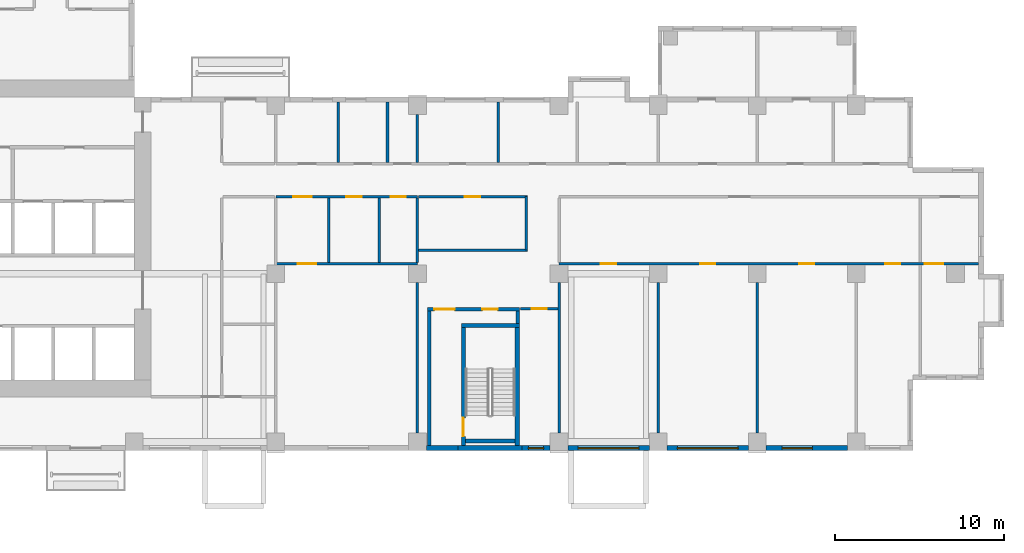
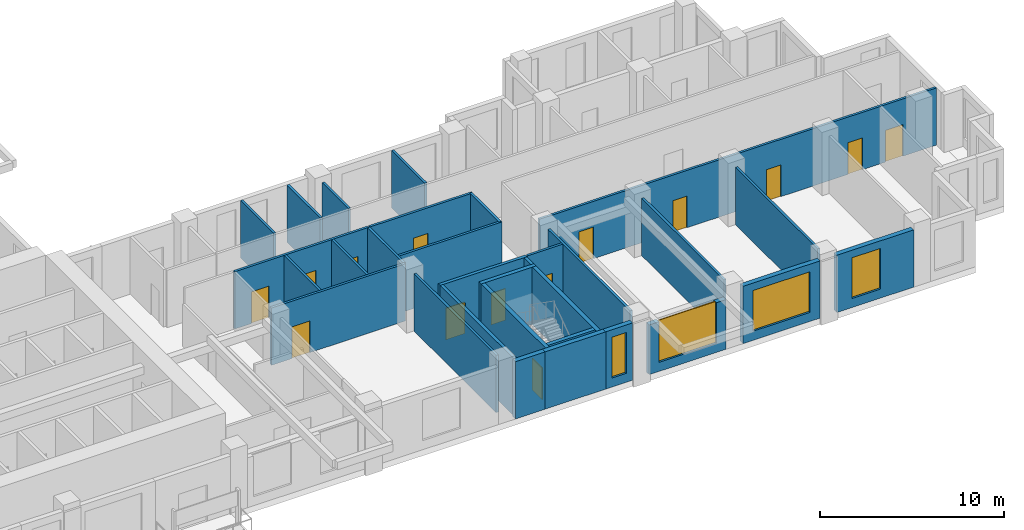
# One storey, part 4 of 14: 31 walls, 14 doors, 4 windows, 18 openings.
"""IFC4 building model written with IfcOpenShell, lengths in metres."""

from ifc_helpers import new_model, si_unit, direction, frame, frame_2d, origin, place, context, subcontext, project, spatial, rectangle, extrude, source, transform, mapped, material, layer, layer_set, type_object, element, fill, save


model = new_model("IFC4")

# Units and contexts
model_context = context("Model", 3, precision=1e-05, world=origin(), true_north=direction((0.0, 1.0)))
body_context = subcontext(model_context, "Body", "Model", "MODEL_VIEW")
ifc_project = project(units=[si_unit("LENGTHUNIT", "METRE"), si_unit("AREAUNIT", "SQUARE_METRE"), si_unit("VOLUMEUNIT", "CUBIC_METRE"), si_unit("PLANEANGLEUNIT", "RADIAN"), si_unit("MASSUNIT", "GRAM", prefix="KILO")], contexts=[model_context])

# Site, building, storey
site_placement = place(None, origin())
site = spatial("IfcSite", under=ifc_project, at=site_placement, CompositionType="ELEMENT")
building_placement = place(site_placement, origin())
building = spatial("IfcBuilding", under=site, at=building_placement, Name="Aurelian Terraces", CompositionType="ELEMENT")
storey_placement = place(building_placement, frame((0.0, 0.0, 128.7)))
storey = spatial("IfcBuildingStorey", under=building, at=storey_placement, Name="L28", CompositionType="ELEMENT", Elevation=128.7)

# Wall
ifc_material_1 = material(Name="Concrete fc' 40 MPa", Category="concrete")
ifc_layer_1 = layer(ifc_material_1, 0.3)
ifc_layer_set_1 = layer_set([ifc_layer_1], Name="STAIR BAY WALL 300")
wall_type_1 = type_object("IfcWallType", Name="STAIR BAY WALL 300", PredefinedType="SOLIDWALL", material=ifc_layer_set_1)
shared_shape_1 = source(origin(), body_context, "Body", "SweptSolid", [
    extrude(rectangle(XDim=3.8, YDim=0.3, at=frame_2d((1.9, 0.0))), origin(), (0.0, 0.0, 1.0), 3.8),
])
wall_1_placement = place(storey_placement, frame((40.2, 0.15, 0.0), z_axis=(0.0, 0.0, 1.0), x_axis=(1.0, 0.0, 0.0)))
element("IfcWall", 1, at=wall_1_placement, inside=storey, type_object=wall_type_1, Name="Stair bay wall L28 F01.7", PredefinedType="SOLIDWALL", context=body_context, shape_type="MappedRepresentation", body=[
    mapped(shared_shape_1, transform((0.0, 0.0, 0.0), scale=1.0)),
])

# Wall, opening, window
ifc_material_2 = material(Name="Terracotta rainscreen cladding", Category="masonry")
ifc_layer_2 = layer(ifc_material_2, 0.3)
ifc_layer_set_2 = layer_set([ifc_layer_2], Name="EW-300")
wall_type_2 = type_object("IfcWallType", Name="EW-300", PredefinedType="STANDARD", material=ifc_layer_set_2)
shared_shape_2 = source(origin(), body_context, "Body", "SweptSolid", [
    extrude(rectangle(XDim=4.83, YDim=0.3, at=frame_2d((2.415, 0.0))), origin(), (0.0, 0.0, 1.0), 3.8),
])
wall_2_placement = place(storey_placement, frame((52.605, 0.15, 0.0), z_axis=(0.0, 0.0, 1.0), x_axis=(1.0, 0.0, 0.0)))
wall_2 = element("IfcWall", 2, at=wall_2_placement, inside=storey, type_object=wall_type_2, Name="External wall L28 F01.9", PredefinedType="STANDARD", context=body_context, shape_type="MappedRepresentation", body=[
    mapped(shared_shape_2, transform((0.0, 0.0, 0.0), scale=1.0)),
])
shared_shape_3 = source(origin(), body_context, "Body", "SweptSolid", [
    extrude(rectangle(XDim=3.6, YDim=2.7, at=frame_2d((1.8, 1.35))), frame((0.0, 0.16, 0.0), z_axis=(0.0, -1.0, 0.0), x_axis=(1.0, 0.0, 0.0)), (0.0, 0.0, 1.0), 0.32),
])
opening_1_placement = place(wall_2_placement, frame((0.615, 0.0, 0.6)))
opening_1 = element("IfcOpeningElement", 3, at=opening_1_placement, cuts=wall_2, Name="Opening W3627", PredefinedType="OPENING", context=body_context, shape_type="MappedRepresentation", body=[
    mapped(shared_shape_3, transform((0.0, 0.0, 0.0), scale=1.0)),
])
ifc_material_3 = material(Name="Clear glazing", Category="glass")
window_type_1 = type_object("IfcWindowType", Name="W-3600x2700", PartitioningType="SINGLE_PANEL", PredefinedType="WINDOW", material=ifc_material_3)
shared_shape_4 = source(origin(), body_context, "Body", "SweptSolid", [
    extrude(rectangle(XDim=3.6, YDim=2.7, at=frame_2d((1.8, 1.35))), frame((0.0, 0.03, 0.0), z_axis=(0.0, -1.0, 0.0), x_axis=(1.0, 0.0, 0.0)), (0.0, 0.0, 1.0), 0.06),
])
window_1_placement = place(opening_1_placement, origin())
window_1 = element("IfcWindow", 4, at=window_1_placement, inside=storey, type_object=window_type_1, Name="Window L28 L28-F01-09-0", OverallHeight=2.7, OverallWidth=3.6, PartitioningType="SINGLE_PANEL", PredefinedType="WINDOW", context=body_context, shape_type="MappedRepresentation", body=[
    mapped(shared_shape_4, transform((0.0, 0.0, 0.0), scale=1.0)),
])
fill(opening_1, window_1)

wall_3_placement = place(storey_placement, frame((58.485, 0.15, 0.0), z_axis=(0.0, 0.0, 1.0), x_axis=(1.0, 0.0, 0.0)))
wall_3 = element("IfcWall", 5, at=wall_3_placement, inside=storey, type_object=wall_type_2, Name="External wall L28 F01.10", PredefinedType="STANDARD", context=body_context, shape_type="MappedRepresentation", body=[
    mapped(shared_shape_2, transform((0.0, 0.0, 0.0), scale=1.0)),
])
shared_shape_5 = source(origin(), body_context, "Body", "SweptSolid", [
    extrude(rectangle(XDim=1.8, YDim=2.7, at=frame_2d((0.9, 1.35))), frame((0.0, 0.16, 0.0), z_axis=(0.0, -1.0, 0.0), x_axis=(1.0, 0.0, 0.0)), (0.0, 0.0, 1.0), 0.32),
])
opening_2_placement = place(wall_3_placement, frame((0.9525, 0.0, 0.6)))
opening_2 = element("IfcOpeningElement", 6, at=opening_2_placement, cuts=wall_3, Name="Opening W1827", PredefinedType="OPENING", context=body_context, shape_type="MappedRepresentation", body=[
    mapped(shared_shape_5, transform((0.0, 0.0, 0.0), scale=1.0)),
])
window_type_2 = type_object("IfcWindowType", Name="W-1800x2700", PartitioningType="SINGLE_PANEL", PredefinedType="WINDOW", material=ifc_material_3)
shared_shape_6 = source(origin(), body_context, "Body", "SweptSolid", [
    extrude(rectangle(XDim=1.8, YDim=2.7, at=frame_2d((0.9, 1.35))), frame((0.0, 0.03, 0.0), z_axis=(0.0, -1.0, 0.0), x_axis=(1.0, 0.0, 0.0)), (0.0, 0.0, 1.0), 0.06),
])
window_2_placement = place(opening_2_placement, origin())
window_2 = element("IfcWindow", 7, at=window_2_placement, inside=storey, type_object=window_type_2, Name="Window L28 L28-F01-10-0", OverallHeight=2.7, OverallWidth=1.8, PartitioningType="SINGLE_PANEL", PredefinedType="WINDOW", context=body_context, shape_type="MappedRepresentation", body=[
    mapped(shared_shape_6, transform((0.0, 0.0, 0.0), scale=1.0)),
])
fill(opening_2, window_2)

shared_shape_7 = source(origin(), body_context, "Body", "SweptSolid", [
    extrude(rectangle(XDim=1.675, YDim=0.3, at=frame_2d((0.8375, 0.0))), origin(), (0.0, 0.0, 1.0), 3.8),
])
wall_4_placement = place(storey_placement, frame((44.0, 0.15, 0.0), z_axis=(0.0, 0.0, 1.0), x_axis=(1.0, 0.0, 0.0)))
wall_4 = element("IfcWall", 8, at=wall_4_placement, inside=storey, type_object=wall_type_2, Name="External wall L28 F01.7", PredefinedType="STANDARD", context=body_context, shape_type="MappedRepresentation", body=[
    mapped(shared_shape_7, transform((0.0, 0.0, 0.0), scale=1.0)),
])
shared_shape_8 = source(origin(), body_context, "Body", "SweptSolid", [
    extrude(rectangle(XDim=0.9, YDim=2.7, at=frame_2d((0.45, 1.35))), frame((0.0, 0.16, 0.0), z_axis=(0.0, -1.0, 0.0), x_axis=(1.0, 0.0, 0.0)), (0.0, 0.0, 1.0), 0.32),
])
opening_3_placement = place(wall_4_placement, frame((0.3875, 0.0, 0.6)))
opening_3 = element("IfcOpeningElement", 9, at=opening_3_placement, cuts=wall_4, Name="Opening W0927", PredefinedType="OPENING", context=body_context, shape_type="MappedRepresentation", body=[
    mapped(shared_shape_8, transform((0.0, 0.0, 0.0), scale=1.0)),
])
window_type_3 = type_object("IfcWindowType", Name="W-900x2700", PartitioningType="SINGLE_PANEL", PredefinedType="WINDOW", material=ifc_material_3)
shared_shape_9 = source(origin(), body_context, "Body", "SweptSolid", [
    extrude(rectangle(XDim=0.9, YDim=2.7, at=frame_2d((0.45, 1.35))), frame((0.0, 0.03, 0.0), z_axis=(0.0, -1.0, 0.0), x_axis=(1.0, 0.0, 0.0)), (0.0, 0.0, 1.0), 0.06),
])
window_3_placement = place(opening_3_placement, origin())
window_3 = element("IfcWindow", 10, at=window_3_placement, inside=storey, type_object=window_type_3, Name="Window L28 L28-F01-07-P2", OverallHeight=2.7, OverallWidth=0.9, PartitioningType="SINGLE_PANEL", PredefinedType="WINDOW", context=body_context, shape_type="MappedRepresentation", body=[
    mapped(shared_shape_9, transform((0.0, 0.0, 0.0), scale=1.0)),
])
fill(opening_3, window_3)

shared_shape_10 = source(origin(), body_context, "Body", "SweptSolid", [
    extrude(rectangle(XDim=4.83, YDim=0.3, at=frame_2d((2.415, 0.0))), origin(), (0.0, 0.0, 1.0), 3.3),
])
wall_5_placement = place(storey_placement, frame((46.725, 0.15, 0.0), z_axis=(0.0, 0.0, 1.0), x_axis=(1.0, 0.0, 0.0)))
wall_5 = element("IfcWall", 11, at=wall_5_placement, inside=storey, type_object=wall_type_2, Name="External wall L28 F01.8", PredefinedType="STANDARD", context=body_context, shape_type="MappedRepresentation", body=[
    mapped(shared_shape_10, transform((0.0, 0.0, 0.0), scale=1.0)),
])
opening_4_placement = place(wall_5_placement, frame((0.615, 0.0, 0.6)))
opening_4 = element("IfcOpeningElement", 12, at=opening_4_placement, cuts=wall_5, Name="Opening W3627", PredefinedType="OPENING", context=body_context, shape_type="MappedRepresentation", body=[
    mapped(shared_shape_3, transform((0.0, 0.0, 0.0), scale=1.0)),
])
window_4_placement = place(opening_4_placement, origin())
window_4 = element("IfcWindow", 13, at=window_4_placement, inside=storey, type_object=window_type_1, Name="Window L28 L28-F01-08-0", OverallHeight=2.7, OverallWidth=3.6, PartitioningType="SINGLE_PANEL", PredefinedType="WINDOW", context=body_context, shape_type="MappedRepresentation", body=[
    mapped(shared_shape_4, transform((0.0, 0.0, 0.0), scale=1.0)),
])
fill(opening_4, window_4)

# Wall
shared_shape_11 = source(origin(), body_context, "Body", "SweptSolid", [
    extrude(rectangle(XDim=1.875, YDim=0.3, at=frame_2d((0.9375, 0.0))), origin(), (0.0, 0.0, 1.0), 3.8),
])
wall_6_placement = place(storey_placement, frame((38.325, 0.15, 0.0), z_axis=(0.0, 0.0, 1.0), x_axis=(1.0, 0.0, 0.0)))
element("IfcWall", 14, at=wall_6_placement, inside=storey, type_object=wall_type_2, Name="External wall L28 F01.7", PredefinedType="STANDARD", context=body_context, shape_type="MappedRepresentation", body=[
    mapped(shared_shape_11, transform((0.0, 0.0, 0.0), scale=1.0)),
])

# Wall, opening, door
ifc_layer_3 = layer(ifc_material_1, 0.25)
ifc_layer_set_3 = layer_set([ifc_layer_3], Name="Stair enclosure wall 250")
wall_type_3 = type_object("IfcWallType", Name="Stair enclosure wall 250", PredefinedType="SOLIDWALL", material=ifc_layer_set_3)
shared_shape_12 = source(origin(), body_context, "Body", "SweptSolid", [
    extrude(rectangle(XDim=7.0, YDim=0.25, at=frame_2d((3.5, 0.0))), origin(), (0.0, 0.0, 1.0), 3.8),
])
wall_7_placement = place(storey_placement, frame((40.525, 0.3, 0.0), z_axis=(0.0, 0.0, 1.0), x_axis=(0.0, 1.0, 0.0)))
wall_7 = element("IfcWall", 15, at=wall_7_placement, inside=storey, type_object=wall_type_3, Name="L28 core wall ST-S2-W", PredefinedType="SOLIDWALL", context=body_context, shape_type="MappedRepresentation", body=[
    mapped(shared_shape_12, transform((0.0, 0.0, 0.0), scale=1.0)),
])
shared_shape_13 = source(origin(), body_context, "Body", "SweptSolid", [
    extrude(rectangle(XDim=1.1, YDim=2.1, at=frame_2d((0.55, 1.05))), frame((0.0, 0.135, 0.0), z_axis=(0.0, -1.0, 0.0), x_axis=(1.0, 0.0, 0.0)), (0.0, 0.0, 1.0), 0.27),
])
opening_5_placement = place(wall_7_placement, frame((0.55, 0.0, 0.0)))
opening_5 = element("IfcOpeningElement", 16, at=opening_5_placement, cuts=wall_7, Name="Opening 63114", PredefinedType="OPENING", context=body_context, shape_type="MappedRepresentation", body=[
    mapped(shared_shape_13, transform((0.0, 0.0, 0.0), scale=1.0)),
])
ifc_material_4 = material(Name="Steel door leaf", Category="steel")
door_type_1 = type_object("IfcDoorType", Name="Core fire door 1100x2100 right", OperationType="SINGLE_SWING_RIGHT", PredefinedType="DOOR", material=ifc_material_4)
shared_shape_14 = source(origin(), body_context, "Body", "SweptSolid", [
    extrude(rectangle(XDim=1.1, YDim=2.1, at=frame_2d((0.55, 1.05))), frame((0.0, 0.025, 0.0), z_axis=(0.0, -1.0, 0.0), x_axis=(1.0, 0.0, 0.0)), (0.0, 0.0, 1.0), 0.05),
])
door_1_placement = place(opening_5_placement, origin())
door_1 = element("IfcDoor", 17, at=door_1_placement, inside=storey, type_object=door_type_1, Name="Stair door 63114", OperationType="SINGLE_SWING_RIGHT", OverallHeight=2.1, OverallWidth=1.1, PredefinedType="DOOR", context=body_context, shape_type="MappedRepresentation", body=[
    mapped(shared_shape_14, transform((0.0, 0.0, 0.0), scale=1.0)),
])
fill(opening_5, door_1)

# Walls
wall_8_placement = place(storey_placement, frame((43.725, 0.3, 0.0), z_axis=(0.0, 0.0, 1.0), x_axis=(0.0, 1.0, 0.0)))
element("IfcWall", 18, at=wall_8_placement, inside=storey, type_object=wall_type_3, Name="L28 core wall ST-S2-E", PredefinedType="SOLIDWALL", context=body_context, shape_type="MappedRepresentation", body=[
    mapped(shared_shape_12, transform((0.0, 0.0, 0.0), scale=1.0)),
])
shared_shape_15 = source(origin(), body_context, "Body", "SweptSolid", [
    extrude(rectangle(XDim=3.45, YDim=0.25, at=frame_2d((1.725, 0.0))), origin(), (0.0, 0.0, 1.0), 3.8),
])
wall_9_placement = place(storey_placement, frame((40.4, 7.425, 0.0), z_axis=(0.0, 0.0, 1.0), x_axis=(1.0, 0.0, 0.0)))
element("IfcWall", 19, at=wall_9_placement, inside=storey, type_object=wall_type_3, Name="L28 core wall ST-S2-N", PredefinedType="SOLIDWALL", context=body_context, shape_type="MappedRepresentation", body=[
    mapped(shared_shape_15, transform((0.0, 0.0, 0.0), scale=1.0)),
])
shared_shape_16 = source(origin(), body_context, "Body", "SweptSolid", [
    extrude(rectangle(XDim=2.95, YDim=0.25, at=frame_2d((1.475, 0.0))), origin(), (0.0, 0.0, 1.0), 3.8),
])
wall_10_placement = place(storey_placement, frame((40.65, 0.575, 0.0), z_axis=(0.0, 0.0, 1.0), x_axis=(1.0, 0.0, 0.0)))
element("IfcWall", 20, at=wall_10_placement, inside=storey, type_object=wall_type_3, Name="L28 core wall ST-S2-SS", PredefinedType="SOLIDWALL", context=body_context, shape_type="MappedRepresentation", body=[
    mapped(shared_shape_16, transform((0.0, 0.0, 0.0), scale=1.0)),
])
ifc_material_5 = material(Name="Gypsum board on steel studs", Category="steel")
ifc_layer_4 = layer(ifc_material_5, 0.2)
ifc_layer_set_4 = layer_set([ifc_layer_4], Name="Core partition 200")
wall_type_4 = type_object("IfcWallType", Name="Core partition 200", PredefinedType="PARTITIONING", material=ifc_layer_set_4)
shared_shape_17 = source(origin(), body_context, "Body", "SweptSolid", [
    extrude(rectangle(XDim=8.0, YDim=0.2, at=frame_2d((4.0, 0.0))), origin(), (0.0, 0.0, 1.0), 3.8),
])
wall_11_placement = place(storey_placement, frame((38.5, 0.3, 0.0), z_axis=(0.0, 0.0, 1.0), x_axis=(0.0, 1.0, 0.0)))
element("IfcWall", 21, at=wall_11_placement, inside=storey, type_object=wall_type_4, Name="L28 core wall ST-S2-VW", PredefinedType="PARTITIONING", context=body_context, shape_type="MappedRepresentation", body=[
    mapped(shared_shape_17, transform((0.0, 0.0, 0.0), scale=1.0)),
])

# Wall, openings, doors
shared_shape_18 = source(origin(), body_context, "Body", "SweptSolid", [
    extrude(rectangle(XDim=5.45, YDim=0.2, at=frame_2d((2.725, 0.0))), origin(), (0.0, 0.0, 1.0), 3.8),
])
wall_12_placement = place(storey_placement, frame((38.4, 8.4, 0.0), z_axis=(0.0, 0.0, 1.0), x_axis=(1.0, 0.0, 0.0)))
wall_12 = element("IfcWall", 22, at=wall_12_placement, inside=storey, type_object=wall_type_4, Name="L28 core wall ST-S2-BN", PredefinedType="PARTITIONING", context=body_context, shape_type="MappedRepresentation", body=[
    mapped(shared_shape_18, transform((0.0, 0.0, 0.0), scale=1.0)),
])
shared_shape_19 = source(origin(), body_context, "Body", "SweptSolid", [
    extrude(rectangle(XDim=1.2, YDim=2.1, at=frame_2d((0.6, 1.05))), frame((0.0, 0.11, 0.0), z_axis=(0.0, -1.0, 0.0), x_axis=(1.0, 0.0, 0.0)), (0.0, 0.0, 1.0), 0.22),
])
opening_6_placement = place(wall_12_placement, frame((0.4, 0.0, 0.0)))
opening_6 = element("IfcOpeningElement", 23, at=opening_6_placement, cuts=wall_12, Name="Opening 63115", PredefinedType="OPENING", context=body_context, shape_type="MappedRepresentation", body=[
    mapped(shared_shape_19, transform((0.0, 0.0, 0.0), scale=1.0)),
])
shared_shape_20 = source(origin(), body_context, "Body", "SweptSolid", [
    extrude(rectangle(XDim=0.9, YDim=2.1, at=frame_2d((0.45, 1.05))), frame((0.0, 0.11, 0.0), z_axis=(0.0, -1.0, 0.0), x_axis=(1.0, 0.0, 0.0)), (0.0, 0.0, 1.0), 0.22),
])
opening_7_placement = place(wall_12_placement, frame((3.25, 0.0, 0.0)))
opening_7 = element("IfcOpeningElement", 24, at=opening_7_placement, cuts=wall_12, Name="Opening 63116", PredefinedType="OPENING", context=body_context, shape_type="MappedRepresentation", body=[
    mapped(shared_shape_20, transform((0.0, 0.0, 0.0), scale=1.0)),
])
door_type_2 = type_object("IfcDoorType", Name="Core riser door 900x2100 right", OperationType="SINGLE_SWING_RIGHT", PredefinedType="DOOR", material=ifc_material_4)
shared_shape_21 = source(origin(), body_context, "Body", "SweptSolid", [
    extrude(rectangle(XDim=0.9, YDim=2.1, at=frame_2d((0.45, 1.05))), frame((0.0, 0.025, 0.0), z_axis=(0.0, -1.0, 0.0), x_axis=(1.0, 0.0, 0.0)), (0.0, 0.0, 1.0), 0.05),
])
door_2_placement = place(opening_7_placement, origin())
door_2 = element("IfcDoor", 25, at=door_2_placement, inside=storey, type_object=door_type_2, Name="Riser door 63116", OperationType="SINGLE_SWING_RIGHT", OverallHeight=2.1, OverallWidth=0.9, PredefinedType="DOOR", context=body_context, shape_type="MappedRepresentation", body=[
    mapped(shared_shape_21, transform((0.0, 0.0, 0.0), scale=1.0)),
])
fill(opening_7, door_2)
door_type_3 = type_object("IfcDoorType", Name="Core fire door 1200x2100", OperationType="SINGLE_SWING_LEFT", PredefinedType="DOOR", material=ifc_material_4)
shared_shape_22 = source(origin(), body_context, "Body", "SweptSolid", [
    extrude(rectangle(XDim=1.2, YDim=2.1, at=frame_2d((0.6, 1.05))), frame((0.0, 0.025, 0.0), z_axis=(0.0, -1.0, 0.0), x_axis=(1.0, 0.0, 0.0)), (0.0, 0.0, 1.0), 0.05),
])
door_3_placement = place(opening_6_placement, origin())
door_3 = element("IfcDoor", 26, at=door_3_placement, inside=storey, type_object=door_type_3, Name="Vestibule door 63115", OperationType="SINGLE_SWING_LEFT", OverallHeight=2.1, OverallWidth=1.2, PredefinedType="DOOR", context=body_context, shape_type="MappedRepresentation", body=[
    mapped(shared_shape_22, transform((0.0, 0.0, 0.0), scale=1.0)),
])
fill(opening_6, door_3)

# Walls
shared_shape_23 = source(origin(), body_context, "Body", "SweptSolid", [
    extrude(rectangle(XDim=0.75, YDim=0.2, at=frame_2d((0.375, 0.0))), origin(), (0.0, 0.0, 1.0), 3.8),
])
wall_13_placement = place(storey_placement, frame((43.75, 7.55, 0.0), z_axis=(0.0, 0.0, 1.0), x_axis=(0.0, 1.0, 0.0)))
element("IfcWall", 27, at=wall_13_placement, inside=storey, type_object=wall_type_4, Name="L28 core wall ST-S2-RE", PredefinedType="PARTITIONING", context=body_context, shape_type="MappedRepresentation", body=[
    mapped(shared_shape_23, transform((0.0, 0.0, 0.0), scale=1.0)),
])
ifc_layer_5 = layer(ifc_material_5, 0.15)
ifc_layer_set_5 = layer_set([ifc_layer_5], Name="Partition 150")
wall_type_5 = type_object("IfcWallType", Name="Partition 150", PredefinedType="PARTITIONING", material=ifc_layer_set_5)
shared_shape_24 = source(origin(), body_context, "Body", "SweptSolid", [
    extrude(rectangle(XDim=6.45, YDim=0.15, at=frame_2d((3.225, 0.0))), origin(), (0.0, 0.0, 1.0), 3.8),
])
wall_14_placement = place(storey_placement, frame((37.875, 11.9, 0.0), z_axis=(0.0, 0.0, 1.0), x_axis=(1.0, 0.0, 0.0)))
element("IfcWall", 28, at=wall_14_placement, inside=storey, type_object=wall_type_5, Name="Partition", PredefinedType="PARTITIONING", context=body_context, shape_type="MappedRepresentation", body=[
    mapped(shared_shape_24, transform((0.0, 0.0, 0.0), scale=1.0)),
])

# Wall, opening, door
ifc_layer_6 = layer(ifc_material_5, 0.15)
ifc_layer_set_6 = layer_set([ifc_layer_6], Name="Fire partition 150")
wall_type_6 = type_object("IfcWallType", Name="Fire partition 150", PredefinedType="PARTITIONING", material=ifc_layer_set_6)
wall_15_placement = place(storey_placement, frame((44.325, 15.075, 0.0), z_axis=(0.0, 0.0, 1.0), x_axis=(-1.0, 0.0, 0.0)))
wall_15 = element("IfcWall", 29, at=wall_15_placement, inside=storey, type_object=wall_type_6, Name="Corridor wall", PredefinedType="PARTITIONING", context=body_context, shape_type="MappedRepresentation", body=[
    mapped(shared_shape_24, transform((0.0, 0.0, 0.0), scale=1.0)),
])
shared_shape_25 = source(origin(), body_context, "Body", "SweptSolid", [
    extrude(rectangle(XDim=0.9, YDim=2.1, at=frame_2d((0.45, 1.05))), frame((0.0, 0.085, 0.0), z_axis=(0.0, -1.0, 0.0), x_axis=(1.0, 0.0, 0.0)), (0.0, 0.0, 1.0), 0.17),
])
opening_8_placement = place(wall_15_placement, frame((2.8125, 0.0, 0.0)))
opening_8 = element("IfcOpeningElement", 30, at=opening_8_placement, cuts=wall_15, Name="Opening 728005", PredefinedType="OPENING", context=body_context, shape_type="MappedRepresentation", body=[
    mapped(shared_shape_25, transform((0.0, 0.0, 0.0), scale=1.0)),
])
ifc_material_6 = material(Name="Timber door leaf", Category="wood")
door_type_4 = type_object("IfcDoorType", Name="Room door 900x2100 left", OperationType="SINGLE_SWING_LEFT", PredefinedType="DOOR", material=ifc_material_6)
door_4_placement = place(opening_8_placement, origin())
door_4 = element("IfcDoor", 31, at=door_4_placement, inside=storey, type_object=door_type_4, Name="Door 728005", OperationType="SINGLE_SWING_LEFT", OverallHeight=2.1, OverallWidth=0.9, PredefinedType="DOOR", context=body_context, shape_type="MappedRepresentation", body=[
    mapped(shared_shape_21, transform((0.0, 0.0, 0.0), scale=1.0)),
])
fill(opening_8, door_4)

# Walls
shared_shape_26 = source(origin(), body_context, "Body", "SweptSolid", [
    extrude(rectangle(XDim=3.6, YDim=0.15, at=frame_2d((1.8, 0.0))), origin(), (0.0, 0.0, 1.0), 3.8),
])
for number, where, z_axis, x_axis, name in (
    (32, (33.1133, 20.7, 0.0), (0.0, 0.0, 1.0), (0.0, -1.0, 0.0), "Partition"),
    (33, (36.024, 20.7, 0.0), (0.0, 0.0, 1.0), (0.0, -1.0, 0.0), "Partition"),
    (34, (42.585, 20.7, 0.0), (0.0, 0.0, 1.0), (0.0, -1.0, 0.0), "Partition"),
):
    element("IfcWall", number, at=place(storey_placement, frame(where, z_axis=z_axis, x_axis=x_axis)), inside=storey, type_object=wall_type_5, Name=name, PredefinedType="PARTITIONING", context=body_context, shape_type="MappedRepresentation", body=[
        mapped(shared_shape_26, transform((0.0, 0.0, 0.0), scale=1.0)),
    ])

# Wall, opening, door
shared_shape_27 = source(origin(), body_context, "Body", "SweptSolid", [
    extrude(rectangle(XDim=8.4, YDim=0.15, at=frame_2d((4.2, 0.0))), origin(), (0.0, 0.0, 1.0), 3.8),
])
wall_16_placement = place(storey_placement, frame((37.8, 11.1, 0.0), z_axis=(0.0, 0.0, 1.0), x_axis=(-1.0, 0.0, 0.0)))
wall_16 = element("IfcWall", 35, at=wall_16_placement, inside=storey, type_object=wall_type_5, Name="Partition", PredefinedType="PARTITIONING", context=body_context, shape_type="MappedRepresentation", body=[
    mapped(shared_shape_27, transform((0.0, 0.0, 0.0), scale=1.0)),
])
shared_shape_28 = source(origin(), body_context, "Body", "SweptSolid", [
    extrude(rectangle(XDim=1.1, YDim=2.1, at=frame_2d((0.55, 1.05))), frame((0.0, 0.085, 0.0), z_axis=(0.0, -1.0, 0.0), x_axis=(1.0, 0.0, 0.0)), (0.0, 0.0, 1.0), 0.17),
])
opening_9_placement = place(wall_16_placement, frame((5.9992, 0.0, 0.0)))
opening_9 = element("IfcOpeningElement", 36, at=opening_9_placement, cuts=wall_16, Name="Opening 728008", PredefinedType="OPENING", context=body_context, shape_type="MappedRepresentation", body=[
    mapped(shared_shape_28, transform((0.0, 0.0, 0.0), scale=1.0)),
])
door_type_5 = type_object("IfcDoorType", Name="Room door 1100x2100 left", OperationType="SINGLE_SWING_LEFT", PredefinedType="DOOR", material=ifc_material_6)
door_5_placement = place(opening_9_placement, origin())
door_5 = element("IfcDoor", 37, at=door_5_placement, inside=storey, type_object=door_type_5, Name="Door 728008", OperationType="SINGLE_SWING_LEFT", OverallHeight=2.1, OverallWidth=1.1, PredefinedType="DOOR", context=body_context, shape_type="MappedRepresentation", body=[
    mapped(shared_shape_14, transform((0.0, 0.0, 0.0), scale=1.0)),
])
fill(opening_9, door_5)

# Wall, openings, doors
wall_17_placement = place(storey_placement, frame((37.8, 15.075, 0.0), z_axis=(0.0, 0.0, 1.0), x_axis=(-1.0, 0.0, 0.0)))
wall_17 = element("IfcWall", 38, at=wall_17_placement, inside=storey, type_object=wall_type_6, Name="Corridor wall", PredefinedType="PARTITIONING", context=body_context, shape_type="MappedRepresentation", body=[
    mapped(shared_shape_27, transform((0.0, 0.0, 0.0), scale=1.0)),
])
opening_10_placement = place(wall_17_placement, frame((6.2742, 0.0, 0.0)))
opening_10 = element("IfcOpeningElement", 39, at=opening_10_placement, cuts=wall_17, Name="Opening 728007", PredefinedType="OPENING", context=body_context, shape_type="MappedRepresentation", body=[
    mapped(shared_shape_28, transform((0.0, 0.0, 0.0), scale=1.0)),
])
opening_11_placement = place(wall_17_placement, frame((3.3128, 0.0, 0.0)))
opening_11 = element("IfcOpeningElement", 40, at=opening_11_placement, cuts=wall_17, Name="Opening 728009", PredefinedType="OPENING", context=body_context, shape_type="MappedRepresentation", body=[
    mapped(shared_shape_25, transform((0.0, 0.0, 0.0), scale=1.0)),
])
opening_12_placement = place(wall_17_placement, frame((0.6885, 0.0, 0.0)))
opening_12 = element("IfcOpeningElement", 41, at=opening_12_placement, cuts=wall_17, Name="Opening 728010", PredefinedType="OPENING", context=body_context, shape_type="MappedRepresentation", body=[
    mapped(shared_shape_25, transform((0.0, 0.0, 0.0), scale=1.0)),
])
door_type_6 = type_object("IfcDoorType", Name="Room door 900x2100 right", OperationType="SINGLE_SWING_RIGHT", PredefinedType="DOOR", material=ifc_material_6)
door_6_placement = place(opening_11_placement, origin())
door_6 = element("IfcDoor", 42, at=door_6_placement, inside=storey, type_object=door_type_6, Name="Door 728009", OperationType="SINGLE_SWING_RIGHT", OverallHeight=2.1, OverallWidth=0.9, PredefinedType="DOOR", context=body_context, shape_type="MappedRepresentation", body=[
    mapped(shared_shape_21, transform((0.0, 0.0, 0.0), scale=1.0)),
])
fill(opening_11, door_6)
door_7_placement = place(opening_12_placement, origin())
door_7 = element("IfcDoor", 43, at=door_7_placement, inside=storey, type_object=door_type_4, Name="Door 728010", OperationType="SINGLE_SWING_LEFT", OverallHeight=2.1, OverallWidth=0.9, PredefinedType="DOOR", context=body_context, shape_type="MappedRepresentation", body=[
    mapped(shared_shape_21, transform((0.0, 0.0, 0.0), scale=1.0)),
])
fill(opening_12, door_7)
door_type_7 = type_object("IfcDoorType", Name="Room door 1100x2100 right", OperationType="SINGLE_SWING_RIGHT", PredefinedType="DOOR", material=ifc_material_6)
door_8_placement = place(opening_10_placement, origin())
door_8 = element("IfcDoor", 44, at=door_8_placement, inside=storey, type_object=door_type_7, Name="Door 728007", OperationType="SINGLE_SWING_RIGHT", OverallHeight=2.1, OverallWidth=1.1, PredefinedType="DOOR", context=body_context, shape_type="MappedRepresentation", body=[
    mapped(shared_shape_14, transform((0.0, 0.0, 0.0), scale=1.0)),
])
fill(opening_10, door_8)

shared_shape_29 = source(origin(), body_context, "Body", "SweptSolid", [
    extrude(rectangle(XDim=24.9, YDim=0.15, at=frame_2d((12.45, 0.0))), origin(), (0.0, 0.0, 1.0), 3.8),
])
wall_18_placement = place(storey_placement, frame((71.1, 11.1, 0.0), z_axis=(0.0, 0.0, 1.0), x_axis=(-1.0, 0.0, 0.0)))
wall_18 = element("IfcWall", 45, at=wall_18_placement, inside=storey, type_object=wall_type_5, Name="Partition", PredefinedType="PARTITIONING", context=body_context, shape_type="MappedRepresentation", body=[
    mapped(shared_shape_29, transform((0.0, 0.0, 0.0), scale=1.0)),
])
opening_13_placement = place(wall_18_placement, frame((21.51, 0.0, 0.0)))
opening_13 = element("IfcOpeningElement", 46, at=opening_13_placement, cuts=wall_18, Name="Opening 728012", PredefinedType="OPENING", context=body_context, shape_type="MappedRepresentation", body=[
    mapped(shared_shape_25, transform((0.0, 0.0, 0.0), scale=1.0)),
])
opening_14_placement = place(wall_18_placement, frame((15.63, 0.0, 0.0)))
opening_14 = element("IfcOpeningElement", 47, at=opening_14_placement, cuts=wall_18, Name="Opening 728013", PredefinedType="OPENING", context=body_context, shape_type="MappedRepresentation", body=[
    mapped(shared_shape_25, transform((0.0, 0.0, 0.0), scale=1.0)),
])
opening_15_placement = place(wall_18_placement, frame((9.75, 0.0, 0.0)))
opening_15 = element("IfcOpeningElement", 48, at=opening_15_placement, cuts=wall_18, Name="Opening 728014", PredefinedType="OPENING", context=body_context, shape_type="MappedRepresentation", body=[
    mapped(shared_shape_25, transform((0.0, 0.0, 0.0), scale=1.0)),
])
opening_16_placement = place(wall_18_placement, frame((4.645, 0.0, 0.0)))
opening_16 = element("IfcOpeningElement", 49, at=opening_16_placement, cuts=wall_18, Name="Opening 728015", PredefinedType="OPENING", context=body_context, shape_type="MappedRepresentation", body=[
    mapped(shared_shape_25, transform((0.0, 0.0, 0.0), scale=1.0)),
])
opening_17_placement = place(wall_18_placement, frame((2.105, 0.0, 0.0)))
opening_17 = element("IfcOpeningElement", 50, at=opening_17_placement, cuts=wall_18, Name="Opening 728017", PredefinedType="OPENING", context=body_context, shape_type="MappedRepresentation", body=[
    mapped(shared_shape_28, transform((0.0, 0.0, 0.0), scale=1.0)),
])
door_9_placement = place(opening_13_placement, origin())
door_9 = element("IfcDoor", 51, at=door_9_placement, inside=storey, type_object=door_type_4, Name="Door 728012", OperationType="SINGLE_SWING_LEFT", OverallHeight=2.1, OverallWidth=0.9, PredefinedType="DOOR", context=body_context, shape_type="MappedRepresentation", body=[
    mapped(shared_shape_21, transform((0.0, 0.0, 0.0), scale=1.0)),
])
fill(opening_13, door_9)
door_10_placement = place(opening_14_placement, origin())
door_10 = element("IfcDoor", 52, at=door_10_placement, inside=storey, type_object=door_type_6, Name="Door 728013", OperationType="SINGLE_SWING_RIGHT", OverallHeight=2.1, OverallWidth=0.9, PredefinedType="DOOR", context=body_context, shape_type="MappedRepresentation", body=[
    mapped(shared_shape_21, transform((0.0, 0.0, 0.0), scale=1.0)),
])
fill(opening_14, door_10)
door_11_placement = place(opening_15_placement, origin())
door_11 = element("IfcDoor", 53, at=door_11_placement, inside=storey, type_object=door_type_4, Name="Door 728014", OperationType="SINGLE_SWING_LEFT", OverallHeight=2.1, OverallWidth=0.9, PredefinedType="DOOR", context=body_context, shape_type="MappedRepresentation", body=[
    mapped(shared_shape_21, transform((0.0, 0.0, 0.0), scale=1.0)),
])
fill(opening_15, door_11)
door_12_placement = place(opening_16_placement, origin())
door_12 = element("IfcDoor", 54, at=door_12_placement, inside=storey, type_object=door_type_6, Name="Door 728015", OperationType="SINGLE_SWING_RIGHT", OverallHeight=2.1, OverallWidth=0.9, PredefinedType="DOOR", context=body_context, shape_type="MappedRepresentation", body=[
    mapped(shared_shape_21, transform((0.0, 0.0, 0.0), scale=1.0)),
])
fill(opening_16, door_12)
door_13_placement = place(opening_17_placement, origin())
door_13 = element("IfcDoor", 55, at=door_13_placement, inside=storey, type_object=door_type_5, Name="Door 728017", OperationType="SINGLE_SWING_LEFT", OverallHeight=2.1, OverallWidth=1.1, PredefinedType="DOOR", context=body_context, shape_type="MappedRepresentation", body=[
    mapped(shared_shape_14, transform((0.0, 0.0, 0.0), scale=1.0)),
])
fill(opening_17, door_13)

# Wall, opening, door
shared_shape_30 = source(origin(), body_context, "Body", "SweptSolid", [
    extrude(rectangle(XDim=2.2, YDim=0.15, at=frame_2d((1.1, 0.0))), origin(), (0.0, 0.0, 1.0), 3.8),
])
wall_19_placement = place(storey_placement, frame((46.125, 8.425, 0.0), z_axis=(0.0, 0.0, 1.0), x_axis=(-1.0, 0.0, 0.0)))
wall_19 = element("IfcWall", 56, at=wall_19_placement, inside=storey, type_object=wall_type_5, Name="Partition", PredefinedType="PARTITIONING", context=body_context, shape_type="MappedRepresentation", body=[
    mapped(shared_shape_30, transform((0.0, 0.0, 0.0), scale=1.0)),
])
opening_18_placement = place(wall_19_placement, frame((0.65, 0.0, 0.0)))
opening_18 = element("IfcOpeningElement", 57, at=opening_18_placement, cuts=wall_19, Name="Opening 728006", PredefinedType="OPENING", context=body_context, shape_type="MappedRepresentation", body=[
    mapped(shared_shape_25, transform((0.0, 0.0, 0.0), scale=1.0)),
])
door_14_placement = place(opening_18_placement, origin())
door_14 = element("IfcDoor", 58, at=door_14_placement, inside=storey, type_object=door_type_4, Name="Door 728006", OperationType="SINGLE_SWING_LEFT", OverallHeight=2.1, OverallWidth=0.9, PredefinedType="DOOR", context=body_context, shape_type="MappedRepresentation", body=[
    mapped(shared_shape_21, transform((0.0, 0.0, 0.0), scale=1.0)),
])
fill(opening_18, door_14)

# Walls
shared_shape_31 = source(origin(), body_context, "Body", "SweptSolid", [
    extrude(rectangle(XDim=3.175, YDim=0.15, at=frame_2d((1.5875, 0.0))), origin(), (0.0, 0.0, 1.0), 3.8),
])
wall_20_placement = place(storey_placement, frame((44.25, 11.9, 0.0), z_axis=(0.0, 0.0, 1.0), x_axis=(0.0, 1.0, 0.0)))
element("IfcWall", 59, at=wall_20_placement, inside=storey, type_object=wall_type_5, Name="Partition", PredefinedType="PARTITIONING", context=body_context, shape_type="MappedRepresentation", body=[
    mapped(shared_shape_31, transform((0.0, 0.0, 0.0), scale=1.0)),
])
shared_shape_32 = source(origin(), body_context, "Body", "SweptSolid", [
    extrude(rectangle(XDim=3.825, YDim=0.15, at=frame_2d((1.9125, 0.0))), origin(), (0.0, 0.0, 1.0), 3.8),
])
for number, where, z_axis, x_axis, name in (
    (60, (32.5515, 11.175, 0.0), (0.0, 0.0, 1.0), (0.0, 1.0, 0.0), "Partition"),
    (61, (35.523, 11.175, 0.0), (0.0, 0.0, 1.0), (0.0, 1.0, 0.0), "Partition"),
    (62, (37.8, 11.175, 0.0), (0.0, 0.0, 1.0), (0.0, 1.0, 0.0), "Partition"),
):
    element("IfcWall", number, at=place(storey_placement, frame(where, z_axis=z_axis, x_axis=x_axis)), inside=storey, type_object=wall_type_5, Name=name, PredefinedType="PARTITIONING", context=body_context, shape_type="MappedRepresentation", body=[
        mapped(shared_shape_32, transform((0.0, 0.0, 0.0), scale=1.0)),
    ])
shared_shape_33 = source(origin(), body_context, "Body", "SweptSolid", [
    extrude(rectangle(XDim=8.927, YDim=0.15, at=frame_2d((4.4635, 0.0))), origin(), (0.0, 0.0, 1.0), 3.8),
])
for number, where, z_axis, x_axis, name in (
    (63, (37.8, 1.049, 0.0), (0.0, 0.0, 1.0), (0.0, 1.0, 0.0), "Partition"),
    (64, (52.08, 1.049, 0.0), (0.0, 0.0, 1.0), (0.0, 1.0, 0.0), "Partition"),
    (65, (57.96, 1.049, 0.0), (0.0, 0.0, 1.0), (0.0, 1.0, 0.0), "Partition"),
    (66, (46.2, 1.049, 0.0), (0.0, 0.0, 1.0), (0.0, 1.0, 0.0), "Partition"),
):
    element("IfcWall", number, at=place(storey_placement, frame(where, z_axis=z_axis, x_axis=x_axis)), inside=storey, type_object=wall_type_5, Name=name, PredefinedType="PARTITIONING", context=body_context, shape_type="MappedRepresentation", body=[
        mapped(shared_shape_33, transform((0.0, 0.0, 0.0), scale=1.0)),
    ])
shared_shape_34 = source(origin(), body_context, "Body", "SweptSolid", [
    extrude(rectangle(XDim=2.851, YDim=0.15, at=frame_2d((1.4255, 0.0))), origin(), (0.0, 0.0, 1.0), 3.8),
])
wall_21_placement = place(storey_placement, frame((37.8, 17.1, 0.0), z_axis=(0.0, 0.0, 1.0), x_axis=(0.0, 1.0, 0.0)))
element("IfcWall", 67, at=wall_21_placement, inside=storey, type_object=wall_type_5, Name="Partition", PredefinedType="PARTITIONING", context=body_context, shape_type="MappedRepresentation", body=[
    mapped(shared_shape_34, transform((0.0, 0.0, 0.0), scale=1.0)),
])

save(model, "model.ifc")
